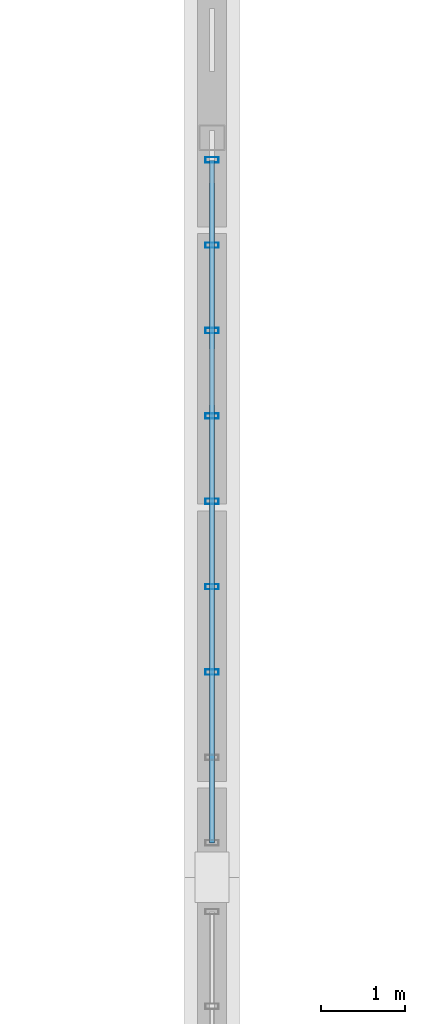
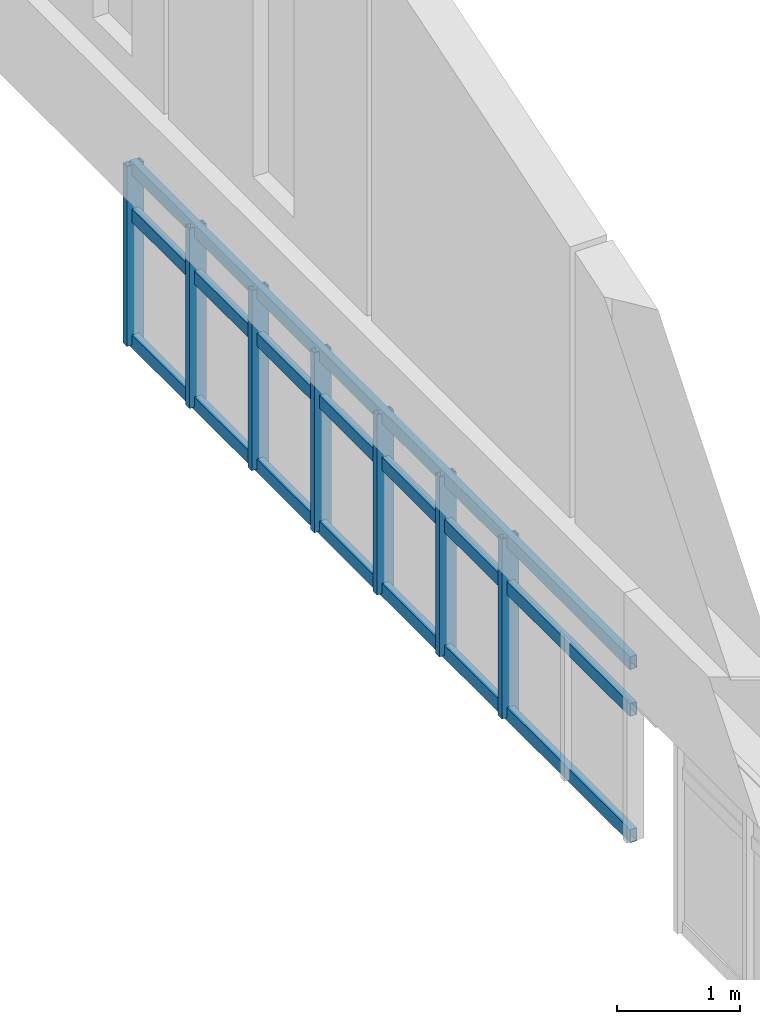
# One storey, part 11 of 65: 10 members, 1 element without a shape of its own.
"""IFC4 building model written with IfcOpenShell, lengths in metres."""

from ifc_helpers import new_model, si_unit, direction, frame, origin, origin_2d, place, context, subcontext, project, spatial, hollow_rectangle, extrude, material, layer, layer_set, material_profile, profile_set, type_object, element, aggregate, save


model = new_model("IFC4")

# Units and contexts
model_context = context("Model", 3, precision=1e-05, world=origin(), true_north=direction((0.0, 1.0)))
body_context = subcontext(model_context, "Body", "Model", "MODEL_VIEW")
ifc_project = project(units=[si_unit("LENGTHUNIT", "METRE"), si_unit("AREAUNIT", "SQUARE_METRE"), si_unit("VOLUMEUNIT", "CUBIC_METRE"), si_unit("PLANEANGLEUNIT", "RADIAN"), si_unit("MASSUNIT", "GRAM", prefix="KILO")], contexts=[model_context])

# Site, building, storey
site_placement = place(None, origin())
site = spatial("IfcSite", under=ifc_project, at=site_placement, CompositionType="ELEMENT")
building_placement = place(site_placement, origin())
building = spatial("IfcBuilding", under=site, at=building_placement, Name="Chalmorin Arch Market", CompositionType="ELEMENT")
storey_placement = place(building_placement, frame((0.0, 0.0, 14.10009765625)))
storey = spatial("IfcBuildingStorey", under=building, at=storey_placement, Name="L03", CompositionType="ELEMENT", Elevation=14.10009765625)

# Curtain wall, members
ifc_material = material(Name="Aluminium 6063-T6", Category="aluminium")
ifc_layer = layer(ifc_material, 0.159912109375)
ifc_layer_set = layer_set([ifc_layer], Name="Aluminium 6063-T6")
curtain_wall_type = type_object("IfcCurtainWallType", Name="GableTympanumCurtainWall-CW4-8130x1780", PredefinedType="NOTDEFINED", material=ifc_layer_set)
curtain_wall_placement = place(storey_placement, origin())
curtain_wall = element("IfcCurtainWall", 1, at=curtain_wall_placement, inside=storey, type_object=curtain_wall_type, Name="CW-04-029", PredefinedType="NOTDEFINED")
ifc_material_profile_1 = material_profile(ifc_material, hollow_rectangle(XDim=0.06494140625, YDim=0.159912109375, WallThickness=0.00390625, at=origin_2d()), Name="ALU65X160X4")
ifc_profile_set_1 = profile_set([ifc_material_profile_1], Name="Aluminium 6063-T6")
member_type_1 = type_object("IfcMemberType", Name="CurtainWallMullion-65x160", PredefinedType="MULLION", material=ifc_profile_set_1)
member_1_placement = place(storey_placement, frame((48.0, 17.241943359375, -1.60009765625), z_axis=(0.0, 0.0, 1.0), x_axis=(0.0, 1.0, 0.0)))
member_1 = element("IfcMember", 2, at=member_1_placement, type_object=member_type_1, Name="ML-029-03", PredefinedType="MULLION", context=body_context, shape_type="SweptSolid", body=[
    extrude(hollow_rectangle(XDim=0.06494140625, YDim=0.159912109375, WallThickness=0.00390625, at=origin_2d()), origin(), (0.0, 0.0, 1.0), 1.784912109375),
])
member_2_placement = place(storey_placement, frame((48.0, 18.2578125, -1.60009765625), z_axis=(0.0, 0.0, 1.0), x_axis=(0.0, 1.0, 0.0)))
member_2 = element("IfcMember", 3, at=member_2_placement, type_object=member_type_1, Name="ML-029-04", PredefinedType="MULLION", context=body_context, shape_type="SweptSolid", body=[
    extrude(hollow_rectangle(XDim=0.06494140625, YDim=0.159912109375, WallThickness=0.00390625, at=origin_2d()), origin(), (0.0, 0.0, 1.0), 1.784912109375),
])
member_3_placement = place(storey_placement, frame((48.0, 19.273681640625, -1.60009765625), z_axis=(0.0, 0.0, 1.0), x_axis=(0.0, 1.0, 0.0)))
member_3 = element("IfcMember", 4, at=member_3_placement, type_object=member_type_1, Name="ML-029-05", PredefinedType="MULLION", context=body_context, shape_type="SweptSolid", body=[
    extrude(hollow_rectangle(XDim=0.06494140625, YDim=0.159912109375, WallThickness=0.00390625, at=origin_2d()), origin(), (0.0, 0.0, 1.0), 1.784912109375),
])
member_4_placement = place(storey_placement, frame((48.0, 20.289794921875, -1.60009765625), z_axis=(0.0, 0.0, 1.0), x_axis=(0.0, 1.0, 0.0)))
member_4 = element("IfcMember", 5, at=member_4_placement, type_object=member_type_1, Name="ML-029-06", PredefinedType="MULLION", context=body_context, shape_type="SweptSolid", body=[
    extrude(hollow_rectangle(XDim=0.06494140625, YDim=0.159912109375, WallThickness=0.00390625, at=origin_2d()), origin(), (0.0, 0.0, 1.0), 1.784912109375),
])
member_5_placement = place(storey_placement, frame((48.0, 21.3056640625, -1.60009765625), z_axis=(0.0, 0.0, 1.0), x_axis=(0.0, 1.0, 0.0)))
member_5 = element("IfcMember", 6, at=member_5_placement, type_object=member_type_1, Name="ML-029-07", PredefinedType="MULLION", context=body_context, shape_type="SweptSolid", body=[
    extrude(hollow_rectangle(XDim=0.06494140625, YDim=0.159912109375, WallThickness=0.00390625, at=origin_2d()), origin(), (0.0, 0.0, 1.0), 1.784912109375),
])
member_6_placement = place(storey_placement, frame((48.0, 22.321533203125, -1.60009765625), z_axis=(0.0, 0.0, 1.0), x_axis=(0.0, 1.0, 0.0)))
member_6 = element("IfcMember", 7, at=member_6_placement, type_object=member_type_1, Name="ML-029-08", PredefinedType="MULLION", context=body_context, shape_type="SweptSolid", body=[
    extrude(hollow_rectangle(XDim=0.06494140625, YDim=0.159912109375, WallThickness=0.00390625, at=origin_2d()), origin(), (0.0, 0.0, 1.0), 1.784912109375),
])
member_7_placement = place(storey_placement, frame((48.0, 23.337646484375, -1.60009765625), z_axis=(0.0, 0.0, 1.0), x_axis=(0.0, 1.0, 0.0)))
member_7 = element("IfcMember", 8, at=member_7_placement, type_object=member_type_1, Name="ML-029-09", PredefinedType="MULLION", context=body_context, shape_type="SweptSolid", body=[
    extrude(hollow_rectangle(XDim=0.06494140625, YDim=0.159912109375, WallThickness=0.00390625, at=origin_2d()), origin(), (0.0, 0.0, 1.0), 1.784912109375),
])
ifc_material_profile_2 = material_profile(ifc_material, hollow_rectangle(XDim=0.06494140625, YDim=0.1298828125, WallThickness=0.00390625, at=origin_2d()), Name="ALU65X130X4")
ifc_profile_set_2 = profile_set([ifc_material_profile_2], Name="Aluminium 6063-T6")
member_type_2 = type_object("IfcMemberType", Name="CurtainWallTransom-65x130", PredefinedType="USERDEFINED", material=ifc_profile_set_2)
member_8_placement = place(storey_placement, frame((48.0, 15.2099609375, -1.565185546875), z_axis=(0.0, 1.0, 0.0), x_axis=(-1.0, 0.0, 0.0)))
member_8 = element("IfcMember", 9, at=member_8_placement, type_object=member_type_2, Name="TR-029-01", ObjectType="TRANSOM", PredefinedType="USERDEFINED", context=body_context, shape_type="SweptSolid", body=[
    extrude(hollow_rectangle(XDim=0.06494140625, YDim=0.1298828125, WallThickness=0.00390625, at=origin_2d()), origin(), (0.0, 0.0, 1.0), 8.127685546875),
])
member_9_placement = place(storey_placement, frame((48.0, 15.2099609375, -0.31494140625), z_axis=(0.0, 1.0, 0.0), x_axis=(-1.0, 0.0, 0.0)))
member_9 = element("IfcMember", 10, at=member_9_placement, type_object=member_type_2, Name="TR-029-02", ObjectType="TRANSOM", PredefinedType="USERDEFINED", context=body_context, shape_type="SweptSolid", body=[
    extrude(hollow_rectangle(XDim=0.06494140625, YDim=0.1298828125, WallThickness=0.00390625, at=origin_2d()), origin(), (0.0, 0.0, 1.0), 8.127685546875),
])
member_10_placement = place(storey_placement, frame((48.0, 15.2099609375, 0.14990234375), z_axis=(0.0, 1.0, 0.0), x_axis=(-1.0, 0.0, 0.0)))
member_10 = element("IfcMember", 11, at=member_10_placement, type_object=member_type_2, Name="TR-029-03", ObjectType="TRANSOM", PredefinedType="USERDEFINED", context=body_context, shape_type="SweptSolid", body=[
    extrude(hollow_rectangle(XDim=0.06494140625, YDim=0.1298828125, WallThickness=0.00390625, at=origin_2d()), origin(), (0.0, 0.0, 1.0), 8.127685546875),
])
aggregate(curtain_wall, [member_1, member_2, member_3, member_4, member_5, member_6, member_7, member_8, member_9, member_10])

save(model, "model.ifc")
